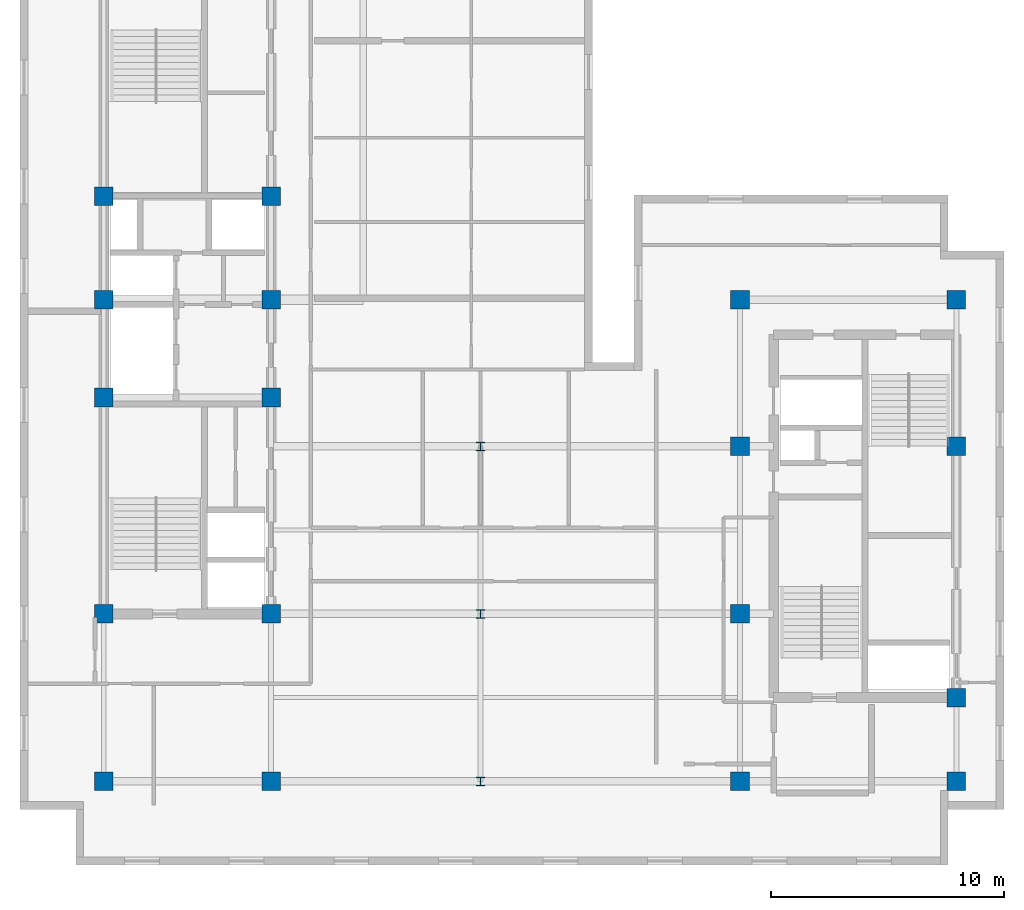
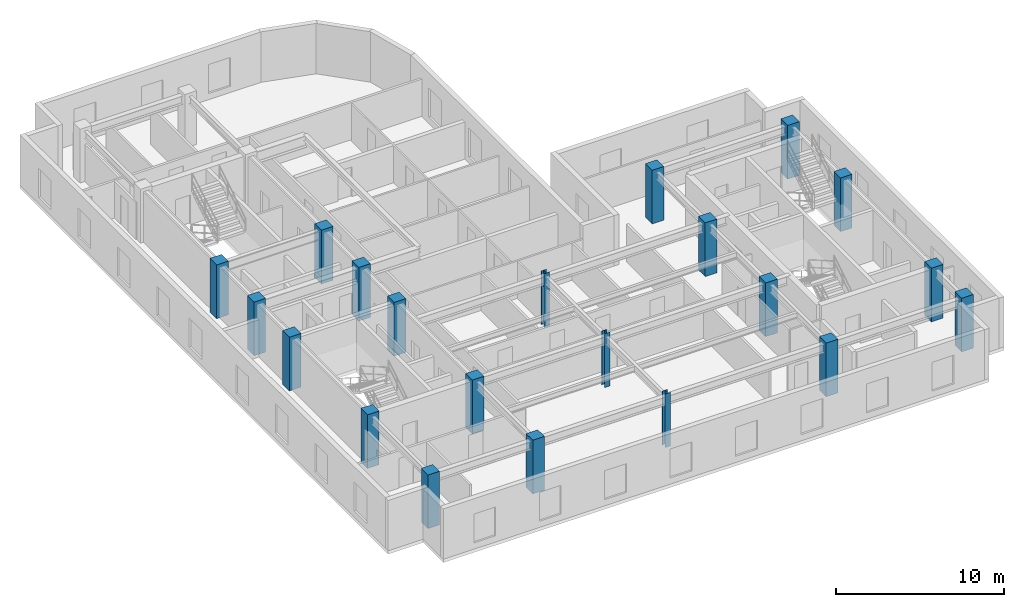
# One storey, part 1 of 10: 21 columns.
"""IFC4 building model written with IfcOpenShell, lengths in metres."""

from ifc_helpers import new_model, entity, si_unit, converted_unit, direction, frame, origin_with_axes, origin_2d_with_axis, place, context, subcontext, project, spatial, rectangle, i_section, extrude, material, material_profile, profile_set, type_object, element, save


model = new_model("IFC4")

# Units and contexts
model_context = context("Model", 3, precision=1e-05, world=origin_with_axes(), true_north=direction((0.0, 1.0)))
body_context = subcontext(model_context, "Body", "Model", "MODEL_VIEW")
ifc_project = project(units=[si_unit("LENGTHUNIT", "METRE"), si_unit("AREAUNIT", "SQUARE_METRE"), si_unit("VOLUMEUNIT", "CUBIC_METRE"), converted_unit("PLANEANGLEUNIT", "DEGREE", entity("IfcPlaneAngleMeasure", 0.017453292519943295), si_unit("PLANEANGLEUNIT", "RADIAN"), dimensions=[0, 0, 0, 0, 0, 0, 0]), si_unit("MASSUNIT", "GRAM", prefix="KILO"), si_unit("THERMODYNAMICTEMPERATUREUNIT", "KELVIN")], contexts=[model_context])

# Site, building, storey
site_placement = place(None, origin_with_axes())
site = spatial("IfcSite", under=ifc_project, at=site_placement, CompositionType="ELEMENT")
building_placement = place(site_placement, origin_with_axes())
building = spatial("IfcBuilding", under=site, at=building_placement, Name="Varnlund Millrace Tower", CompositionType="ELEMENT")
storey_placement = place(building_placement, frame((0.0, 0.0, 268.5), z_axis=(0.0, 0.0, 1.0), x_axis=(1.0, 0.0, 0.0)))
storey = spatial("IfcBuildingStorey", under=building, at=storey_placement, Name="L66", CompositionType="ELEMENT", Elevation=268.5)

# Columns
ifc_material_1 = material(Name="Steel ASTM A992 Grade 50", Category="steel")
ifc_material_profile_1 = material_profile(ifc_material_1, i_section(OverallWidth=0.369, OverallDepth=0.356, WebThickness=0.0112, FlangeThickness=0.018, FilletRadius=0.018, at=origin_2d_with_axis()), Name="Steel ASTM A992 Grade 50")
ifc_profile_set_1 = profile_set([ifc_material_profile_1], Name="Steel ASTM A992 Grade 50")
column_type_1 = type_object("IfcColumnType", Name="Type-Col-Int-W14X90", PredefinedType="COLUMN", material=ifc_profile_set_1)
for number, where, z_axis, x_axis, name in (
    (1, (27.6, 3.6, 0.0), (0.0, 0.0, 1.0), (1.0, 0.0, 0.0), "Type-Col-Int-W14X90"),
    (2, (27.6, 10.8, 0.0), (0.0, 0.0, 1.0), (1.0, 0.0, 0.0), "Type-Col-Int-W14X90"),
    (3, (27.6, 18.0, 0.0), (0.0, 0.0, 1.0), (1.0, 0.0, 0.0), "Type-Col-Int-W14X90"),
):
    element("IfcColumn", number, at=place(storey_placement, frame(where, z_axis=z_axis, x_axis=x_axis)), inside=storey, type_object=column_type_1, Name=name, PredefinedType="COLUMN", context=body_context, shape_type="SweptSolid", body=[
        extrude(i_section(OverallWidth=0.369, OverallDepth=0.356, WebThickness=0.0112, FlangeThickness=0.018, FilletRadius=0.018, at=origin_2d_with_axis()), origin_with_axes(), (0.0, 0.0, 1.0), 3.9),
    ])
ifc_material_2 = material(Name="Concrete C60/75", Category="concrete")
ifc_material_profile_2 = material_profile(ifc_material_2, rectangle(XDim=0.8, YDim=0.8, at=origin_2d_with_axis()), Name="Concrete C60/75")
ifc_profile_set_2 = profile_set([ifc_material_profile_2], Name="Concrete C60/75")
column_type_2 = type_object("IfcColumnType", Name="Type-Col-RC800-C60", PredefinedType="COLUMN", material=ifc_profile_set_2)
for number, where, z_axis, x_axis, name in (
    (4, (11.4, 3.6, 0.0), (0.0, 0.0, 1.0), (1.0, 0.0, 0.0), "Type-Col-RC800-C60"),
    (5, (11.4, 10.8, 0.0), (0.0, 0.0, 1.0), (1.0, 0.0, 0.0), "Type-Col-RC800-C60"),
    (6, (11.4, 20.1, 0.0), (0.0, 0.0, 1.0), (1.0, 0.0, 0.0), "Type-Col-RC800-C60"),
    (7, (11.4, 24.3, 0.0), (0.0, 0.0, 1.0), (1.0, 0.0, 0.0), "Type-Col-RC800-C60"),
    (8, (11.4, 28.75, 0.0), (0.0, 0.0, 1.0), (1.0, 0.0, 0.0), "Type-Col-RC800-C60"),
    (9, (18.6, 3.6, 0.0), (0.0, 0.0, 1.0), (1.0, 0.0, 0.0), "Type-Col-RC800-C60"),
    (10, (18.6, 10.8, 0.0), (0.0, 0.0, 1.0), (1.0, 0.0, 0.0), "Type-Col-RC800-C60"),
    (11, (18.6, 20.1, 0.0), (0.0, 0.0, 1.0), (1.0, 0.0, 0.0), "Type-Col-RC800-C60"),
    (12, (18.6, 24.3, 0.0), (0.0, 0.0, 1.0), (1.0, 0.0, 0.0), "Type-Col-RC800-C60"),
    (13, (18.6, 28.75, 0.0), (0.0, 0.0, 1.0), (1.0, 0.0, 0.0), "Type-Col-RC800-C60"),
    (14, (38.75, 3.6, 0.0), (0.0, 0.0, 1.0), (1.0, 0.0, 0.0), "Type-Col-RC800-C60"),
    (15, (38.75, 10.8, 0.0), (0.0, 0.0, 1.0), (1.0, 0.0, 0.0), "Type-Col-RC800-C60"),
    (16, (38.75, 18.0, 0.0), (0.0, 0.0, 1.0), (1.0, 0.0, 0.0), "Type-Col-RC800-C60"),
    (17, (38.75, 24.3, 0.0), (0.0, 0.0, 1.0), (1.0, 0.0, 0.0), "Type-Col-RC800-C60"),
    (18, (48.05, 3.6, 0.0), (0.0, 0.0, 1.0), (1.0, 0.0, 0.0), "Type-Col-RC800-C60"),
    (19, (48.05, 7.2, 0.0), (0.0, 0.0, 1.0), (1.0, 0.0, 0.0), "Type-Col-RC800-C60"),
    (20, (48.05, 18.0, 0.0), (0.0, 0.0, 1.0), (1.0, 0.0, 0.0), "Type-Col-RC800-C60"),
    (21, (48.05, 24.3, 0.0), (0.0, 0.0, 1.0), (1.0, 0.0, 0.0), "Type-Col-RC800-C60"),
):
    element("IfcColumn", number, at=place(storey_placement, frame(where, z_axis=z_axis, x_axis=x_axis)), inside=storey, type_object=column_type_2, Name=name, PredefinedType="COLUMN", context=body_context, shape_type="SweptSolid", body=[
        extrude(rectangle(XDim=0.8, YDim=0.8, at=origin_2d_with_axis()), origin_with_axes(), (0.0, 0.0, 1.0), 3.9),
    ])

save(model, "model.ifc")
